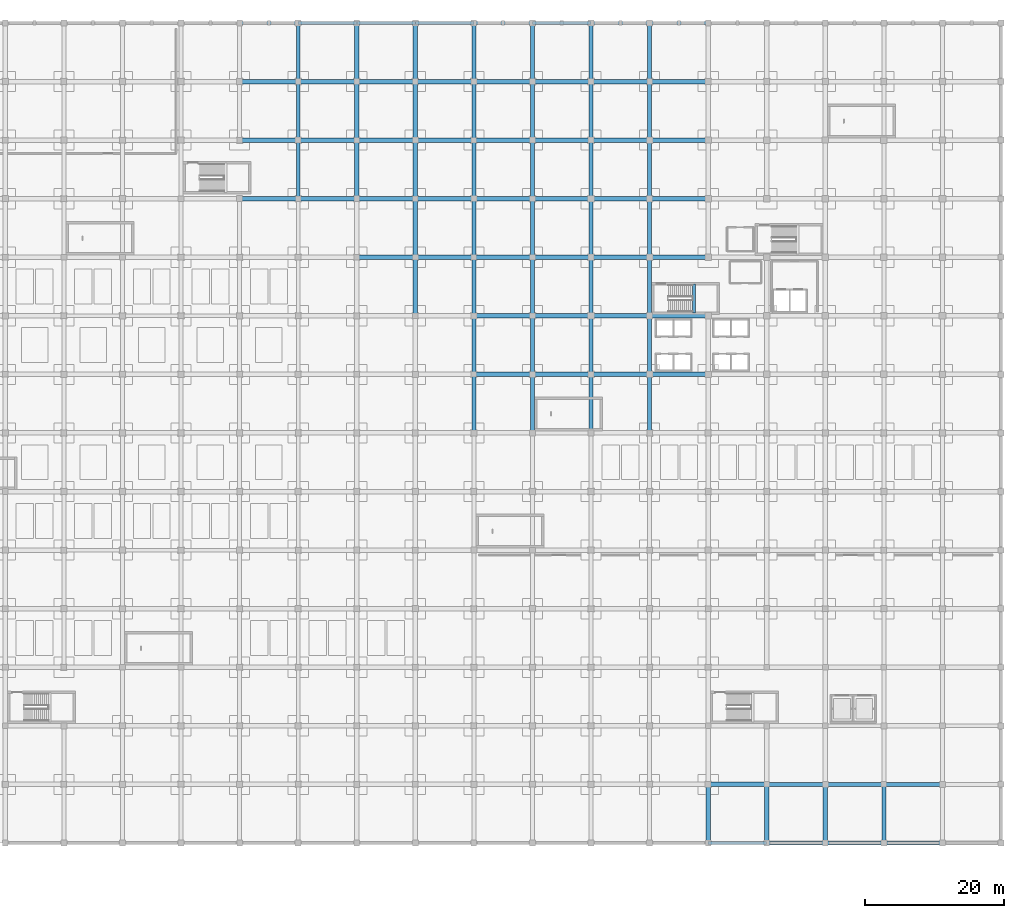
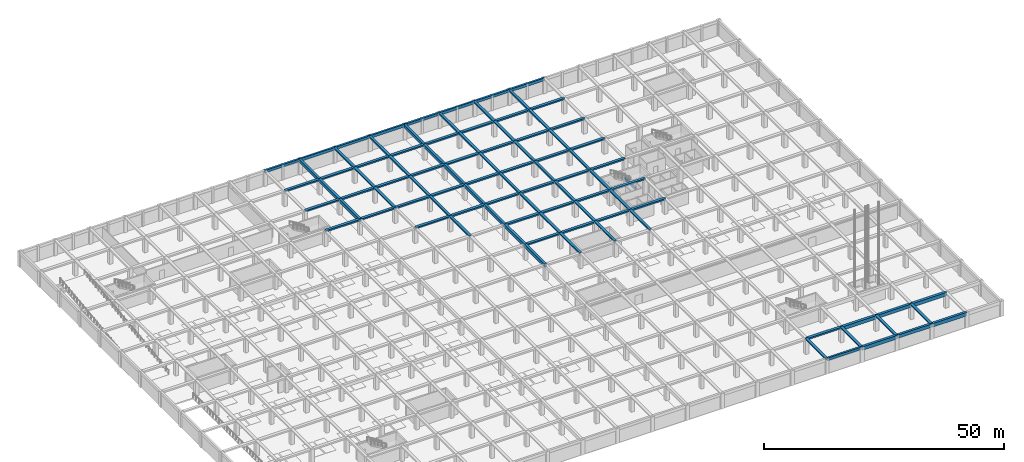
# One storey, part 7 of 32: 98 beams.
"""IFC4 building model written with IfcOpenShell, lengths in metres."""

from ifc_helpers import new_model, si_unit, direction, frame, origin, origin_2d, place, context, subcontext, project, spatial, rectangle, extrude, material, material_profile, profile_set, type_object, element, save


model = new_model("IFC4")

# Units and contexts
model_context = context("Model", 3, precision=1e-05, world=origin(), true_north=direction((0.0, 1.0)))
body_context = subcontext(model_context, "Body", "Model", "MODEL_VIEW")
ifc_project = project(units=[si_unit("LENGTHUNIT", "METRE"), si_unit("AREAUNIT", "SQUARE_METRE"), si_unit("VOLUMEUNIT", "CUBIC_METRE"), si_unit("PLANEANGLEUNIT", "RADIAN"), si_unit("MASSUNIT", "GRAM", prefix="KILO")], contexts=[model_context])

# Site, building, storey
site_placement = place(None, origin())
site = spatial("IfcSite", under=ifc_project, at=site_placement, CompositionType="ELEMENT")
building_placement = place(site_placement, origin())
building = spatial("IfcBuilding", under=site, at=building_placement, Name="Almacenes y Pasaje Nevantli", CompositionType="ELEMENT")
storey_placement = place(building_placement, frame((0.0, 0.0, -4.199951171875)))
storey = spatial("IfcBuildingStorey", under=building, at=storey_placement, Name="B01", CompositionType="ELEMENT", Elevation=-4.199951171875)

# Beams
ifc_material_1 = material(Name="Concrete C35/45", Category="concrete")
ifc_material_profile_1 = material_profile(ifc_material_1, rectangle(XDim=0.39990234375, YDim=0.60009765625, at=origin_2d()), Name="RC-BM-400x600")
ifc_profile_set_1 = profile_set([ifc_material_profile_1], Name="Concrete C35/45")
beam_type_1 = type_object("IfcBeamType", Name="BM-RC-400x600", PredefinedType="SPANDREL", material=ifc_profile_set_1)
beam_1_placement = place(storey_placement, frame((123.97998046875, 76.0, 1.599853515625), z_axis=(0.0, 1.0, 0.0), x_axis=(-1.0, 0.0, 0.0)))
element("IfcBeam", 1, at=beam_1_placement, inside=storey, type_object=beam_type_1, Name="B01 Stair ST-01 Half-Landing Support Beam", PredefinedType="SPANDREL", context=body_context, shape_type="SweptSolid", body=[
    extrude(rectangle(XDim=0.39990234375, YDim=0.60009765625, at=origin_2d()), origin(), (0.0, 0.0, 1.0), 4.18994140625),
])
ifc_material_2 = material(Name="Concrete C35/45", Category="concrete")
ifc_material_profile_2 = material_profile(ifc_material_2, rectangle(XDim=0.449951171875, YDim=0.64990234375, at=origin_2d()), Name="RC-BM-450x650")
ifc_profile_set_2 = profile_set([ifc_material_profile_2], Name="Concrete C35/45")
beam_type_2 = type_object("IfcBeamType", Name="BM-RC-450x650", PredefinedType="SPANDREL", material=ifc_profile_set_2)
for number, where, z_axis, x_axis, name in (
    (2, (126.0, 0.0, 3.554931640625), (1.0, 0.0, 0.0), (0.0, 1.0, 0.0), "B01 East-West Reinforced Concrete Beam #617"),
    (3, (58.800048828125, 117.60009765625, 3.554931640625), (1.0, 0.0, 0.0), (0.0, 1.0, 0.0), "B01 East-West Reinforced Concrete Beam #883"),
    (4, (75.60009765625, 117.60009765625, 3.554931640625), (1.0, 0.0, 0.0), (0.0, 1.0, 0.0), "B01 East-West Reinforced Concrete Beam #885"),
):
    element("IfcBeam", number, at=place(storey_placement, frame(where, z_axis=z_axis, x_axis=x_axis)), inside=storey, type_object=beam_type_2, Name=name, PredefinedType="SPANDREL", context=body_context, shape_type="SweptSolid", body=[
        extrude(rectangle(XDim=0.449951171875, YDim=0.64990234375, at=origin_2d()), origin(), (0.0, 0.0, 1.0), 8.39990234375),
    ])
for number, where, z_axis, x_axis, name in (
    (5, (92.39990234375, 117.60009765625, 3.554931640625), (1.0, 0.0, 0.0), (0.0, 1.0, 0.0), "B01 East-West Reinforced Concrete Beam #887"),
    (6, (109.199951171875, 117.60009765625, 3.554931640625), (1.0, 0.0, 0.0), (0.0, 1.0, 0.0), "B01 East-West Reinforced Concrete Beam #889"),
):
    element("IfcBeam", number, at=place(storey_placement, frame(where, z_axis=z_axis, x_axis=x_axis)), inside=storey, type_object=beam_type_2, Name=name, PredefinedType="SPANDREL", context=body_context, shape_type="SweptSolid", body=[
        extrude(rectangle(XDim=0.449951171875, YDim=0.64990234375, at=origin_2d()), origin(), (0.0, 0.0, 1.0), 8.400146484375),
    ])
ifc_material_3 = material(Name="Concrete C35/45", Category="concrete")
ifc_material_profile_3 = material_profile(ifc_material_3, rectangle(XDim=0.449951171875, YDim=0.699951171875, at=origin_2d()), Name="RC-BM-450x700")
ifc_profile_set_3 = profile_set([ifc_material_profile_3], Name="Concrete C35/45")
beam_type_3 = type_object("IfcBeamType", Name="BM-RC-450x700", PredefinedType="SPANDREL", material=ifc_profile_set_3)
beam_2_placement = place(storey_placement, frame((67.199951171875, 117.60009765625, 3.530029296875), z_axis=(1.0, 0.0, 0.0), x_axis=(0.0, 1.0, 0.0)))
element("IfcBeam", 7, at=beam_2_placement, inside=storey, type_object=beam_type_3, Name="B01 East-West Reinforced Concrete Beam #884", PredefinedType="SPANDREL", context=body_context, shape_type="SweptSolid", body=[
    extrude(rectangle(XDim=0.449951171875, YDim=0.699951171875, at=origin_2d()), origin(), (0.0, 0.0, 1.0), 8.400146484375),
])
for number, where, z_axis, x_axis, name in (
    (8, (84.0, 117.60009765625, 3.530029296875), (1.0, 0.0, 0.0), (0.0, 1.0, 0.0), "B01 East-West Reinforced Concrete Beam #886"),
    (9, (100.800048828125, 117.60009765625, 3.530029296875), (1.0, 0.0, 0.0), (0.0, 1.0, 0.0), "B01 East-West Reinforced Concrete Beam #888"),
    (10, (117.60009765625, 117.60009765625, 3.530029296875), (1.0, 0.0, 0.0), (0.0, 1.0, 0.0), "B01 East-West Reinforced Concrete Beam #890"),
):
    element("IfcBeam", number, at=place(storey_placement, frame(where, z_axis=z_axis, x_axis=x_axis)), inside=storey, type_object=beam_type_3, Name=name, PredefinedType="SPANDREL", context=body_context, shape_type="SweptSolid", body=[
        extrude(rectangle(XDim=0.449951171875, YDim=0.699951171875, at=origin_2d()), origin(), (0.0, 0.0, 1.0), 8.39990234375),
    ])
ifc_material_4 = material(Name="Concrete C35/45", Category="concrete")
ifc_material_profile_4 = material_profile(ifc_material_4, rectangle(XDim=0.550048828125, YDim=0.800048828125, at=origin_2d()), Name="RC-BM-550x800")
ifc_profile_set_4 = profile_set([ifc_material_profile_4], Name="Concrete C35/45")
beam_type_4 = type_object("IfcBeamType", Name="BM-RC-550x800", PredefinedType="BEAM", material=ifc_profile_set_4)
beam_3_placement = place(storey_placement, frame((67.199951171875, 92.39990234375, 3.47998046875), z_axis=(0.0, 1.0, 0.0), x_axis=(-1.0, 0.0, 0.0)))
element("IfcBeam", 11, at=beam_3_placement, inside=storey, type_object=beam_type_4, Name="B01 North-South Reinforced Concrete Beam #1007", PredefinedType="BEAM", context=body_context, shape_type="SweptSolid", body=[
    extrude(rectangle(XDim=0.550048828125, YDim=0.800048828125, at=origin_2d()), origin(), (0.0, 0.0, 1.0), 8.400146484375),
])
beam_4_placement = place(storey_placement, frame((67.199951171875, 100.800048828125, 3.47998046875), z_axis=(0.0, 1.0, 0.0), x_axis=(-1.0, 0.0, 0.0)))
element("IfcBeam", 12, at=beam_4_placement, inside=storey, type_object=beam_type_4, Name="B01 North-South Reinforced Concrete Beam #1008", PredefinedType="BEAM", context=body_context, shape_type="SweptSolid", body=[
    extrude(rectangle(XDim=0.550048828125, YDim=0.800048828125, at=origin_2d()), origin(), (0.0, 0.0, 1.0), 8.39990234375),
])
beam_5_placement = place(storey_placement, frame((67.199951171875, 109.199951171875, 3.47998046875), z_axis=(0.0, 1.0, 0.0), x_axis=(-1.0, 0.0, 0.0)))
element("IfcBeam", 13, at=beam_5_placement, inside=storey, type_object=beam_type_4, Name="B01 North-South Reinforced Concrete Beam #1009", PredefinedType="BEAM", context=body_context, shape_type="SweptSolid", body=[
    extrude(rectangle(XDim=0.550048828125, YDim=0.800048828125, at=origin_2d()), origin(), (0.0, 0.0, 1.0), 8.400146484375),
])
beam_6_placement = place(storey_placement, frame((92.39990234375, 58.800048828125, 3.47998046875), z_axis=(0.0, 1.0, 0.0), x_axis=(-1.0, 0.0, 0.0)))
element("IfcBeam", 14, at=beam_6_placement, inside=storey, type_object=beam_type_4, Name="B01 North-South Reinforced Concrete Beam #1045", PredefinedType="BEAM", context=body_context, shape_type="SweptSolid", body=[
    extrude(rectangle(XDim=0.550048828125, YDim=0.800048828125, at=origin_2d()), origin(), (0.0, 0.0, 1.0), 8.39990234375),
])
beam_7_placement = place(storey_placement, frame((92.39990234375, 67.199951171875, 3.47998046875), z_axis=(0.0, 1.0, 0.0), x_axis=(-1.0, 0.0, 0.0)))
element("IfcBeam", 15, at=beam_7_placement, inside=storey, type_object=beam_type_4, Name="B01 North-South Reinforced Concrete Beam #1046", PredefinedType="BEAM", context=body_context, shape_type="SweptSolid", body=[
    extrude(rectangle(XDim=0.550048828125, YDim=0.800048828125, at=origin_2d()), origin(), (0.0, 0.0, 1.0), 8.400146484375),
])
for number, where, z_axis, x_axis, name in (
    (16, (92.39990234375, 75.60009765625, 3.47998046875), (0.0, 1.0, 0.0), (-1.0, 0.0, 0.0), "B01 North-South Reinforced Concrete Beam #1047"),
    (17, (92.39990234375, 84.0, 3.47998046875), (0.0, 1.0, 0.0), (-1.0, 0.0, 0.0), "B01 North-South Reinforced Concrete Beam #1048"),
):
    element("IfcBeam", number, at=place(storey_placement, frame(where, z_axis=z_axis, x_axis=x_axis)), inside=storey, type_object=beam_type_4, Name=name, PredefinedType="BEAM", context=body_context, shape_type="SweptSolid", body=[
        extrude(rectangle(XDim=0.550048828125, YDim=0.800048828125, at=origin_2d()), origin(), (0.0, 0.0, 1.0), 8.39990234375),
    ])
beam_8_placement = place(storey_placement, frame((92.39990234375, 92.39990234375, 3.47998046875), z_axis=(0.0, 1.0, 0.0), x_axis=(-1.0, 0.0, 0.0)))
element("IfcBeam", 18, at=beam_8_placement, inside=storey, type_object=beam_type_4, Name="B01 North-South Reinforced Concrete Beam #1049", PredefinedType="BEAM", context=body_context, shape_type="SweptSolid", body=[
    extrude(rectangle(XDim=0.550048828125, YDim=0.800048828125, at=origin_2d()), origin(), (0.0, 0.0, 1.0), 8.400146484375),
])
beam_9_placement = place(storey_placement, frame((92.39990234375, 100.800048828125, 3.47998046875), z_axis=(0.0, 1.0, 0.0), x_axis=(-1.0, 0.0, 0.0)))
element("IfcBeam", 19, at=beam_9_placement, inside=storey, type_object=beam_type_4, Name="B01 North-South Reinforced Concrete Beam #1050", PredefinedType="BEAM", context=body_context, shape_type="SweptSolid", body=[
    extrude(rectangle(XDim=0.550048828125, YDim=0.800048828125, at=origin_2d()), origin(), (0.0, 0.0, 1.0), 8.39990234375),
])
beam_10_placement = place(storey_placement, frame((92.39990234375, 109.199951171875, 3.47998046875), z_axis=(0.0, 1.0, 0.0), x_axis=(-1.0, 0.0, 0.0)))
element("IfcBeam", 20, at=beam_10_placement, inside=storey, type_object=beam_type_4, Name="B01 North-South Reinforced Concrete Beam #1051", PredefinedType="BEAM", context=body_context, shape_type="SweptSolid", body=[
    extrude(rectangle(XDim=0.550048828125, YDim=0.800048828125, at=origin_2d()), origin(), (0.0, 0.0, 1.0), 8.400146484375),
])
ifc_material_5 = material(Name="Concrete C35/45", Category="concrete")
ifc_material_profile_5 = material_profile(ifc_material_5, rectangle(XDim=0.550048828125, YDim=0.85009765625, at=origin_2d()), Name="RC-BM-550x850")
ifc_profile_set_5 = profile_set([ifc_material_profile_5], Name="Concrete C35/45")
beam_type_5 = type_object("IfcBeamType", Name="BM-RC-550x850", PredefinedType="BEAM", material=ifc_profile_set_5)
for number, where, z_axis, x_axis, name in (
    (21, (142.800048828125, 0.0, 3.454833984375), (1.0, 0.0, 0.0), (0.0, 1.0, 0.0), "B01 East-West Reinforced Concrete Beam #619"),
    (22, (142.800048828125, 8.39990234375, 3.454833984375), (1.0, 0.0, 0.0), (0.0, 1.0, 0.0), "B01 East-West Reinforced Concrete Beam #636"),
):
    element("IfcBeam", number, at=place(storey_placement, frame(where, z_axis=z_axis, x_axis=x_axis)), inside=storey, type_object=beam_type_5, Name=name, PredefinedType="BEAM", context=body_context, shape_type="SweptSolid", body=[
        extrude(rectangle(XDim=0.550048828125, YDim=0.85009765625, at=origin_2d()), origin(), (0.0, 0.0, 1.0), 8.39990234375),
    ])
ifc_material_6 = material(Name="Concrete C35/45", Category="concrete")
ifc_material_profile_6 = material_profile(ifc_material_6, rectangle(XDim=0.60009765625, YDim=0.320068359375, at=origin_2d()), Name="RC-BM-600x320")
ifc_profile_set_6 = profile_set([ifc_material_profile_6], Name="Concrete C35/45")
beam_type_6 = type_object("IfcBeamType", Name="BM-RC-600x320", PredefinedType="BEAM", material=ifc_profile_set_6)
for number, where, z_axis, x_axis, name in (
    (23, (75.60009765625, 100.800048828125, 3.719970703125), (0.0, 1.0, 0.0), (-1.0, 0.0, 0.0), "B01 North-South Reinforced Concrete Beam #1022"),
    (24, (84.0, 75.60009765625, 3.719970703125), (0.0, 1.0, 0.0), (-1.0, 0.0, 0.0), "B01 North-South Reinforced Concrete Beam #1033"),
):
    element("IfcBeam", number, at=place(storey_placement, frame(where, z_axis=z_axis, x_axis=x_axis)), inside=storey, type_object=beam_type_6, Name=name, PredefinedType="BEAM", context=body_context, shape_type="SweptSolid", body=[
        extrude(rectangle(XDim=0.60009765625, YDim=0.320068359375, at=origin_2d()), origin(), (0.0, 0.0, 1.0), 8.39990234375),
    ])
for number, where, z_axis, x_axis, name in (
    (25, (84.0, 92.39990234375, 3.719970703125), (0.0, 1.0, 0.0), (-1.0, 0.0, 0.0), "B01 North-South Reinforced Concrete Beam #1035"),
    (26, (84.0, 109.199951171875, 3.719970703125), (0.0, 1.0, 0.0), (-1.0, 0.0, 0.0), "B01 North-South Reinforced Concrete Beam #1037"),
):
    element("IfcBeam", number, at=place(storey_placement, frame(where, z_axis=z_axis, x_axis=x_axis)), inside=storey, type_object=beam_type_6, Name=name, PredefinedType="BEAM", context=body_context, shape_type="SweptSolid", body=[
        extrude(rectangle(XDim=0.60009765625, YDim=0.320068359375, at=origin_2d()), origin(), (0.0, 0.0, 1.0), 8.400146484375),
    ])
for number, where, z_axis, x_axis, name in (
    (27, (100.800048828125, 58.800048828125, 3.719970703125), (0.0, 1.0, 0.0), (-1.0, 0.0, 0.0), "B01 North-South Reinforced Concrete Beam #1059"),
    (28, (100.800048828125, 75.60009765625, 3.719970703125), (0.0, 1.0, 0.0), (-1.0, 0.0, 0.0), "B01 North-South Reinforced Concrete Beam #1061"),
):
    element("IfcBeam", number, at=place(storey_placement, frame(where, z_axis=z_axis, x_axis=x_axis)), inside=storey, type_object=beam_type_6, Name=name, PredefinedType="BEAM", context=body_context, shape_type="SweptSolid", body=[
        extrude(rectangle(XDim=0.60009765625, YDim=0.320068359375, at=origin_2d()), origin(), (0.0, 0.0, 1.0), 8.39990234375),
    ])
for number, where, z_axis, x_axis, name in (
    (29, (100.800048828125, 92.39990234375, 3.719970703125), (0.0, 1.0, 0.0), (-1.0, 0.0, 0.0), "B01 North-South Reinforced Concrete Beam #1063"),
    (30, (100.800048828125, 109.199951171875, 3.719970703125), (0.0, 1.0, 0.0), (-1.0, 0.0, 0.0), "B01 North-South Reinforced Concrete Beam #1065"),
    (31, (109.199951171875, 67.199951171875, 3.719970703125), (0.0, 1.0, 0.0), (-1.0, 0.0, 0.0), "B01 North-South Reinforced Concrete Beam #1074"),
):
    element("IfcBeam", number, at=place(storey_placement, frame(where, z_axis=z_axis, x_axis=x_axis)), inside=storey, type_object=beam_type_6, Name=name, PredefinedType="BEAM", context=body_context, shape_type="SweptSolid", body=[
        extrude(rectangle(XDim=0.60009765625, YDim=0.320068359375, at=origin_2d()), origin(), (0.0, 0.0, 1.0), 8.400146484375),
    ])
for number, where, z_axis, x_axis, name in (
    (32, (109.199951171875, 84.0, 3.719970703125), (0.0, 1.0, 0.0), (-1.0, 0.0, 0.0), "B01 North-South Reinforced Concrete Beam #1076"),
    (33, (109.199951171875, 100.800048828125, 3.719970703125), (0.0, 1.0, 0.0), (-1.0, 0.0, 0.0), "B01 North-South Reinforced Concrete Beam #1078"),
    (34, (117.60009765625, 58.800048828125, 3.719970703125), (0.0, 1.0, 0.0), (-1.0, 0.0, 0.0), "B01 North-South Reinforced Concrete Beam #1087"),
    (35, (117.60009765625, 75.60009765625, 3.719970703125), (0.0, 1.0, 0.0), (-1.0, 0.0, 0.0), "B01 North-South Reinforced Concrete Beam #1089"),
):
    element("IfcBeam", number, at=place(storey_placement, frame(where, z_axis=z_axis, x_axis=x_axis)), inside=storey, type_object=beam_type_6, Name=name, PredefinedType="BEAM", context=body_context, shape_type="SweptSolid", body=[
        extrude(rectangle(XDim=0.60009765625, YDim=0.320068359375, at=origin_2d()), origin(), (0.0, 0.0, 1.0), 8.39990234375),
    ])
for number, where, z_axis, x_axis, name in (
    (36, (117.60009765625, 92.39990234375, 3.719970703125), (0.0, 1.0, 0.0), (-1.0, 0.0, 0.0), "B01 North-South Reinforced Concrete Beam #1091"),
    (37, (117.60009765625, 109.199951171875, 3.719970703125), (0.0, 1.0, 0.0), (-1.0, 0.0, 0.0), "B01 North-South Reinforced Concrete Beam #1093"),
):
    element("IfcBeam", number, at=place(storey_placement, frame(where, z_axis=z_axis, x_axis=x_axis)), inside=storey, type_object=beam_type_6, Name=name, PredefinedType="BEAM", context=body_context, shape_type="SweptSolid", body=[
        extrude(rectangle(XDim=0.60009765625, YDim=0.320068359375, at=origin_2d()), origin(), (0.0, 0.0, 1.0), 8.400146484375),
    ])
for number, where, z_axis, x_axis, name in (
    (38, (126.0, 0.0, 3.719970703125), (0.0, 1.0, 0.0), (-1.0, 0.0, 0.0), "B01 North-South Reinforced Concrete Beam #1094"),
    (39, (142.800048828125, 0.0, 3.719970703125), (0.0, 1.0, 0.0), (-1.0, 0.0, 0.0), "B01 North-South Reinforced Concrete Beam #1119"),
):
    element("IfcBeam", number, at=place(storey_placement, frame(where, z_axis=z_axis, x_axis=x_axis)), inside=storey, type_object=beam_type_6, Name=name, PredefinedType="BEAM", context=body_context, shape_type="SweptSolid", body=[
        extrude(rectangle(XDim=0.60009765625, YDim=0.320068359375, at=origin_2d()), origin(), (0.0, 0.0, 1.0), 8.39990234375),
    ])
ifc_material_7 = material(Name="Concrete C35/45", Category="concrete")
ifc_material_profile_7 = material_profile(ifc_material_7, rectangle(XDim=0.60009765625, YDim=0.340087890625, at=origin_2d()), Name="RC-BM-600x340")
ifc_profile_set_7 = profile_set([ifc_material_profile_7], Name="Concrete C35/45")
beam_type_7 = type_object("IfcBeamType", Name="BM-RC-600x340", PredefinedType="BEAM", material=ifc_profile_set_7)
for number, where, z_axis, x_axis, name in (
    (40, (75.60009765625, 92.39990234375, 3.7099609375), (0.0, 1.0, 0.0), (-1.0, 0.0, 0.0), "B01 North-South Reinforced Concrete Beam #1021"),
    (41, (75.60009765625, 109.199951171875, 3.7099609375), (0.0, 1.0, 0.0), (-1.0, 0.0, 0.0), "B01 North-South Reinforced Concrete Beam #1023"),
):
    element("IfcBeam", number, at=place(storey_placement, frame(where, z_axis=z_axis, x_axis=x_axis)), inside=storey, type_object=beam_type_7, Name=name, PredefinedType="BEAM", context=body_context, shape_type="SweptSolid", body=[
        extrude(rectangle(XDim=0.60009765625, YDim=0.340087890625, at=origin_2d()), origin(), (0.0, 0.0, 1.0), 8.400146484375),
    ])
for number, where, z_axis, x_axis, name in (
    (42, (84.0, 84.0, 3.7099609375), (0.0, 1.0, 0.0), (-1.0, 0.0, 0.0), "B01 North-South Reinforced Concrete Beam #1034"),
    (43, (84.0, 100.800048828125, 3.7099609375), (0.0, 1.0, 0.0), (-1.0, 0.0, 0.0), "B01 North-South Reinforced Concrete Beam #1036"),
):
    element("IfcBeam", number, at=place(storey_placement, frame(where, z_axis=z_axis, x_axis=x_axis)), inside=storey, type_object=beam_type_7, Name=name, PredefinedType="BEAM", context=body_context, shape_type="SweptSolid", body=[
        extrude(rectangle(XDim=0.60009765625, YDim=0.340087890625, at=origin_2d()), origin(), (0.0, 0.0, 1.0), 8.39990234375),
    ])
beam_11_placement = place(storey_placement, frame((100.800048828125, 67.199951171875, 3.7099609375), z_axis=(0.0, 1.0, 0.0), x_axis=(-1.0, 0.0, 0.0)))
element("IfcBeam", 44, at=beam_11_placement, inside=storey, type_object=beam_type_7, Name="B01 North-South Reinforced Concrete Beam #1060", PredefinedType="BEAM", context=body_context, shape_type="SweptSolid", body=[
    extrude(rectangle(XDim=0.60009765625, YDim=0.340087890625, at=origin_2d()), origin(), (0.0, 0.0, 1.0), 8.400146484375),
])
for number, where, z_axis, x_axis, name in (
    (45, (100.800048828125, 84.0, 3.7099609375), (0.0, 1.0, 0.0), (-1.0, 0.0, 0.0), "B01 North-South Reinforced Concrete Beam #1062"),
    (46, (100.800048828125, 100.800048828125, 3.7099609375), (0.0, 1.0, 0.0), (-1.0, 0.0, 0.0), "B01 North-South Reinforced Concrete Beam #1064"),
    (47, (109.199951171875, 58.800048828125, 3.7099609375), (0.0, 1.0, 0.0), (-1.0, 0.0, 0.0), "B01 North-South Reinforced Concrete Beam #1073"),
    (48, (109.199951171875, 75.60009765625, 3.7099609375), (0.0, 1.0, 0.0), (-1.0, 0.0, 0.0), "B01 North-South Reinforced Concrete Beam #1075"),
):
    element("IfcBeam", number, at=place(storey_placement, frame(where, z_axis=z_axis, x_axis=x_axis)), inside=storey, type_object=beam_type_7, Name=name, PredefinedType="BEAM", context=body_context, shape_type="SweptSolid", body=[
        extrude(rectangle(XDim=0.60009765625, YDim=0.340087890625, at=origin_2d()), origin(), (0.0, 0.0, 1.0), 8.39990234375),
    ])
for number, where, z_axis, x_axis, name in (
    (49, (109.199951171875, 92.39990234375, 3.7099609375), (0.0, 1.0, 0.0), (-1.0, 0.0, 0.0), "B01 North-South Reinforced Concrete Beam #1077"),
    (50, (109.199951171875, 109.199951171875, 3.7099609375), (0.0, 1.0, 0.0), (-1.0, 0.0, 0.0), "B01 North-South Reinforced Concrete Beam #1079"),
    (51, (117.60009765625, 67.199951171875, 3.7099609375), (0.0, 1.0, 0.0), (-1.0, 0.0, 0.0), "B01 North-South Reinforced Concrete Beam #1088"),
):
    element("IfcBeam", number, at=place(storey_placement, frame(where, z_axis=z_axis, x_axis=x_axis)), inside=storey, type_object=beam_type_7, Name=name, PredefinedType="BEAM", context=body_context, shape_type="SweptSolid", body=[
        extrude(rectangle(XDim=0.60009765625, YDim=0.340087890625, at=origin_2d()), origin(), (0.0, 0.0, 1.0), 8.400146484375),
    ])
for number, where, z_axis, x_axis, name in (
    (52, (117.60009765625, 84.0, 3.7099609375), (0.0, 1.0, 0.0), (-1.0, 0.0, 0.0), "B01 North-South Reinforced Concrete Beam #1090"),
    (53, (117.60009765625, 100.800048828125, 3.7099609375), (0.0, 1.0, 0.0), (-1.0, 0.0, 0.0), "B01 North-South Reinforced Concrete Beam #1092"),
    (54, (134.39990234375, 0.0, 3.7099609375), (0.0, 1.0, 0.0), (-1.0, 0.0, 0.0), "B01 North-South Reinforced Concrete Beam #1107"),
    (55, (151.199951171875, 0.0, 3.7099609375), (0.0, 1.0, 0.0), (-1.0, 0.0, 0.0), "B01 North-South Reinforced Concrete Beam #1133"),
):
    element("IfcBeam", number, at=place(storey_placement, frame(where, z_axis=z_axis, x_axis=x_axis)), inside=storey, type_object=beam_type_7, Name=name, PredefinedType="BEAM", context=body_context, shape_type="SweptSolid", body=[
        extrude(rectangle(XDim=0.60009765625, YDim=0.340087890625, at=origin_2d()), origin(), (0.0, 0.0, 1.0), 8.39990234375),
    ])
ifc_material_8 = material(Name="Concrete C35/45", Category="concrete")
ifc_material_profile_8 = material_profile(ifc_material_8, rectangle(XDim=0.60009765625, YDim=0.89990234375, at=origin_2d()), Name="RC-BM-600x900")
ifc_profile_set_8 = profile_set([ifc_material_profile_8], Name="Concrete C35/45")
beam_type_8 = type_object("IfcBeamType", Name="BM-RC-600x900", PredefinedType="BEAM", material=ifc_profile_set_8)
for number, where, z_axis, x_axis, name in (
    (56, (134.39990234375, 0.0, 3.429931640625), (1.0, 0.0, 0.0), (0.0, 1.0, 0.0), "B01 East-West Reinforced Concrete Beam #618"),
    (57, (151.199951171875, 0.0, 3.429931640625), (1.0, 0.0, 0.0), (0.0, 1.0, 0.0), "B01 East-West Reinforced Concrete Beam #620"),
    (58, (134.39990234375, 8.39990234375, 3.429931640625), (1.0, 0.0, 0.0), (0.0, 1.0, 0.0), "B01 East-West Reinforced Concrete Beam #635"),
    (59, (151.199951171875, 8.39990234375, 3.429931640625), (1.0, 0.0, 0.0), (0.0, 1.0, 0.0), "B01 East-West Reinforced Concrete Beam #637"),
):
    element("IfcBeam", number, at=place(storey_placement, frame(where, z_axis=z_axis, x_axis=x_axis)), inside=storey, type_object=beam_type_8, Name=name, PredefinedType="BEAM", context=body_context, shape_type="SweptSolid", body=[
        extrude(rectangle(XDim=0.60009765625, YDim=0.89990234375, at=origin_2d()), origin(), (0.0, 0.0, 1.0), 8.400146484375),
    ])
ifc_material_9 = material(Name="Concrete C35/45", Category="concrete")
ifc_material_profile_9 = material_profile(ifc_material_9, rectangle(XDim=0.64990234375, YDim=0.35009765625, at=origin_2d()), Name="RC-BM-650x350")
ifc_profile_set_9 = profile_set([ifc_material_profile_9], Name="Concrete C35/45")
beam_type_9 = type_object("IfcBeamType", Name="BM-RC-650x350", PredefinedType="BEAM", material=ifc_profile_set_9)
for number, where, z_axis, x_axis, name in (
    (60, (92.39990234375, 67.199951171875, 3.704833984375), (1.0, 0.0, 0.0), (0.0, 1.0, 0.0), "B01 East-West Reinforced Concrete Beam #767"),
    (61, (109.199951171875, 67.199951171875, 3.704833984375), (1.0, 0.0, 0.0), (0.0, 1.0, 0.0), "B01 East-West Reinforced Concrete Beam #769"),
):
    element("IfcBeam", number, at=place(storey_placement, frame(where, z_axis=z_axis, x_axis=x_axis)), inside=storey, type_object=beam_type_9, Name=name, PredefinedType="BEAM", context=body_context, shape_type="SweptSolid", body=[
        extrude(rectangle(XDim=0.64990234375, YDim=0.35009765625, at=origin_2d()), origin(), (0.0, 0.0, 1.0), 8.400146484375),
    ])
for number, where, z_axis, x_axis, name in (
    (62, (100.800048828125, 75.60009765625, 3.704833984375), (1.0, 0.0, 0.0), (0.0, 1.0, 0.0), "B01 East-West Reinforced Concrete Beam #788"),
    (63, (117.60009765625, 75.60009765625, 3.704833984375), (1.0, 0.0, 0.0), (0.0, 1.0, 0.0), "B01 East-West Reinforced Concrete Beam #790"),
    (64, (75.60009765625, 84.0, 3.704833984375), (1.0, 0.0, 0.0), (0.0, 1.0, 0.0), "B01 East-West Reinforced Concrete Beam #805"),
):
    element("IfcBeam", number, at=place(storey_placement, frame(where, z_axis=z_axis, x_axis=x_axis)), inside=storey, type_object=beam_type_9, Name=name, PredefinedType="BEAM", context=body_context, shape_type="SweptSolid", body=[
        extrude(rectangle(XDim=0.64990234375, YDim=0.35009765625, at=origin_2d()), origin(), (0.0, 0.0, 1.0), 8.39990234375),
    ])
for number, where, z_axis, x_axis, name in (
    (65, (92.39990234375, 84.0, 3.704833984375), (1.0, 0.0, 0.0), (0.0, 1.0, 0.0), "B01 East-West Reinforced Concrete Beam #807"),
    (66, (109.199951171875, 84.0, 3.704833984375), (1.0, 0.0, 0.0), (0.0, 1.0, 0.0), "B01 East-West Reinforced Concrete Beam #809"),
    (67, (67.199951171875, 92.39990234375, 3.704833984375), (1.0, 0.0, 0.0), (0.0, 1.0, 0.0), "B01 East-West Reinforced Concrete Beam #824"),
):
    element("IfcBeam", number, at=place(storey_placement, frame(where, z_axis=z_axis, x_axis=x_axis)), inside=storey, type_object=beam_type_9, Name=name, PredefinedType="BEAM", context=body_context, shape_type="SweptSolid", body=[
        extrude(rectangle(XDim=0.64990234375, YDim=0.35009765625, at=origin_2d()), origin(), (0.0, 0.0, 1.0), 8.400146484375),
    ])
for number, where, z_axis, x_axis, name in (
    (68, (84.0, 92.39990234375, 3.704833984375), (1.0, 0.0, 0.0), (0.0, 1.0, 0.0), "B01 East-West Reinforced Concrete Beam #826"),
    (69, (100.800048828125, 92.39990234375, 3.704833984375), (1.0, 0.0, 0.0), (0.0, 1.0, 0.0), "B01 East-West Reinforced Concrete Beam #828"),
    (70, (117.60009765625, 92.39990234375, 3.704833984375), (1.0, 0.0, 0.0), (0.0, 1.0, 0.0), "B01 East-West Reinforced Concrete Beam #830"),
    (71, (58.800048828125, 100.800048828125, 3.704833984375), (1.0, 0.0, 0.0), (0.0, 1.0, 0.0), "B01 East-West Reinforced Concrete Beam #843"),
    (72, (75.60009765625, 100.800048828125, 3.704833984375), (1.0, 0.0, 0.0), (0.0, 1.0, 0.0), "B01 East-West Reinforced Concrete Beam #845"),
):
    element("IfcBeam", number, at=place(storey_placement, frame(where, z_axis=z_axis, x_axis=x_axis)), inside=storey, type_object=beam_type_9, Name=name, PredefinedType="BEAM", context=body_context, shape_type="SweptSolid", body=[
        extrude(rectangle(XDim=0.64990234375, YDim=0.35009765625, at=origin_2d()), origin(), (0.0, 0.0, 1.0), 8.39990234375),
    ])
for number, where, z_axis, x_axis, name in (
    (73, (92.39990234375, 100.800048828125, 3.704833984375), (1.0, 0.0, 0.0), (0.0, 1.0, 0.0), "B01 East-West Reinforced Concrete Beam #847"),
    (74, (109.199951171875, 100.800048828125, 3.704833984375), (1.0, 0.0, 0.0), (0.0, 1.0, 0.0), "B01 East-West Reinforced Concrete Beam #849"),
    (75, (67.199951171875, 109.199951171875, 3.704833984375), (1.0, 0.0, 0.0), (0.0, 1.0, 0.0), "B01 East-West Reinforced Concrete Beam #864"),
):
    element("IfcBeam", number, at=place(storey_placement, frame(where, z_axis=z_axis, x_axis=x_axis)), inside=storey, type_object=beam_type_9, Name=name, PredefinedType="BEAM", context=body_context, shape_type="SweptSolid", body=[
        extrude(rectangle(XDim=0.64990234375, YDim=0.35009765625, at=origin_2d()), origin(), (0.0, 0.0, 1.0), 8.400146484375),
    ])
for number, where, z_axis, x_axis, name in (
    (76, (84.0, 109.199951171875, 3.704833984375), (1.0, 0.0, 0.0), (0.0, 1.0, 0.0), "B01 East-West Reinforced Concrete Beam #866"),
    (77, (100.800048828125, 109.199951171875, 3.704833984375), (1.0, 0.0, 0.0), (0.0, 1.0, 0.0), "B01 East-West Reinforced Concrete Beam #868"),
    (78, (117.60009765625, 109.199951171875, 3.704833984375), (1.0, 0.0, 0.0), (0.0, 1.0, 0.0), "B01 East-West Reinforced Concrete Beam #870"),
):
    element("IfcBeam", number, at=place(storey_placement, frame(where, z_axis=z_axis, x_axis=x_axis)), inside=storey, type_object=beam_type_9, Name=name, PredefinedType="BEAM", context=body_context, shape_type="SweptSolid", body=[
        extrude(rectangle(XDim=0.64990234375, YDim=0.35009765625, at=origin_2d()), origin(), (0.0, 0.0, 1.0), 8.39990234375),
    ])
ifc_material_10 = material(Name="Concrete C35/45", Category="concrete")
ifc_material_profile_10 = material_profile(ifc_material_10, rectangle(XDim=0.64990234375, YDim=0.3798828125, at=origin_2d()), Name="RC-BM-650x380")
ifc_profile_set_10 = profile_set([ifc_material_profile_10], Name="Concrete C35/45")
beam_type_10 = type_object("IfcBeamType", Name="BM-RC-650x380", PredefinedType="BEAM", material=ifc_profile_set_10)
for number, where, z_axis, x_axis, name in (
    (79, (126.0, 8.39990234375, 3.68994140625), (1.0, 0.0, 0.0), (0.0, 1.0, 0.0), "B01 East-West Reinforced Concrete Beam #634"),
    (80, (100.800048828125, 67.199951171875, 3.68994140625), (1.0, 0.0, 0.0), (0.0, 1.0, 0.0), "B01 East-West Reinforced Concrete Beam #768"),
    (81, (117.60009765625, 67.199951171875, 3.68994140625), (1.0, 0.0, 0.0), (0.0, 1.0, 0.0), "B01 East-West Reinforced Concrete Beam #770"),
):
    element("IfcBeam", number, at=place(storey_placement, frame(where, z_axis=z_axis, x_axis=x_axis)), inside=storey, type_object=beam_type_10, Name=name, PredefinedType="BEAM", context=body_context, shape_type="SweptSolid", body=[
        extrude(rectangle(XDim=0.64990234375, YDim=0.3798828125, at=origin_2d()), origin(), (0.0, 0.0, 1.0), 8.39990234375),
    ])
for number, where, z_axis, x_axis, name in (
    (82, (92.39990234375, 75.60009765625, 3.68994140625), (1.0, 0.0, 0.0), (0.0, 1.0, 0.0), "B01 East-West Reinforced Concrete Beam #787"),
    (83, (109.199951171875, 75.60009765625, 3.68994140625), (1.0, 0.0, 0.0), (0.0, 1.0, 0.0), "B01 East-West Reinforced Concrete Beam #789"),
):
    element("IfcBeam", number, at=place(storey_placement, frame(where, z_axis=z_axis, x_axis=x_axis)), inside=storey, type_object=beam_type_10, Name=name, PredefinedType="BEAM", context=body_context, shape_type="SweptSolid", body=[
        extrude(rectangle(XDim=0.64990234375, YDim=0.3798828125, at=origin_2d()), origin(), (0.0, 0.0, 1.0), 8.400146484375),
    ])
for number, where, z_axis, x_axis, name in (
    (84, (84.0, 84.0, 3.68994140625), (1.0, 0.0, 0.0), (0.0, 1.0, 0.0), "B01 East-West Reinforced Concrete Beam #806"),
    (85, (100.800048828125, 84.0, 3.68994140625), (1.0, 0.0, 0.0), (0.0, 1.0, 0.0), "B01 East-West Reinforced Concrete Beam #808"),
    (86, (117.60009765625, 84.0, 3.68994140625), (1.0, 0.0, 0.0), (0.0, 1.0, 0.0), "B01 East-West Reinforced Concrete Beam #810"),
    (87, (58.800048828125, 92.39990234375, 3.68994140625), (1.0, 0.0, 0.0), (0.0, 1.0, 0.0), "B01 East-West Reinforced Concrete Beam #823"),
    (88, (75.60009765625, 92.39990234375, 3.68994140625), (1.0, 0.0, 0.0), (0.0, 1.0, 0.0), "B01 East-West Reinforced Concrete Beam #825"),
):
    element("IfcBeam", number, at=place(storey_placement, frame(where, z_axis=z_axis, x_axis=x_axis)), inside=storey, type_object=beam_type_10, Name=name, PredefinedType="BEAM", context=body_context, shape_type="SweptSolid", body=[
        extrude(rectangle(XDim=0.64990234375, YDim=0.3798828125, at=origin_2d()), origin(), (0.0, 0.0, 1.0), 8.39990234375),
    ])
for number, where, z_axis, x_axis, name in (
    (89, (92.39990234375, 92.39990234375, 3.68994140625), (1.0, 0.0, 0.0), (0.0, 1.0, 0.0), "B01 East-West Reinforced Concrete Beam #827"),
    (90, (109.199951171875, 92.39990234375, 3.68994140625), (1.0, 0.0, 0.0), (0.0, 1.0, 0.0), "B01 East-West Reinforced Concrete Beam #829"),
    (91, (67.199951171875, 100.800048828125, 3.68994140625), (1.0, 0.0, 0.0), (0.0, 1.0, 0.0), "B01 East-West Reinforced Concrete Beam #844"),
):
    element("IfcBeam", number, at=place(storey_placement, frame(where, z_axis=z_axis, x_axis=x_axis)), inside=storey, type_object=beam_type_10, Name=name, PredefinedType="BEAM", context=body_context, shape_type="SweptSolid", body=[
        extrude(rectangle(XDim=0.64990234375, YDim=0.3798828125, at=origin_2d()), origin(), (0.0, 0.0, 1.0), 8.400146484375),
    ])
for number, where, z_axis, x_axis, name in (
    (92, (84.0, 100.800048828125, 3.68994140625), (1.0, 0.0, 0.0), (0.0, 1.0, 0.0), "B01 East-West Reinforced Concrete Beam #846"),
    (93, (100.800048828125, 100.800048828125, 3.68994140625), (1.0, 0.0, 0.0), (0.0, 1.0, 0.0), "B01 East-West Reinforced Concrete Beam #848"),
    (94, (117.60009765625, 100.800048828125, 3.68994140625), (1.0, 0.0, 0.0), (0.0, 1.0, 0.0), "B01 East-West Reinforced Concrete Beam #850"),
    (95, (58.800048828125, 109.199951171875, 3.68994140625), (1.0, 0.0, 0.0), (0.0, 1.0, 0.0), "B01 East-West Reinforced Concrete Beam #863"),
    (96, (75.60009765625, 109.199951171875, 3.68994140625), (1.0, 0.0, 0.0), (0.0, 1.0, 0.0), "B01 East-West Reinforced Concrete Beam #865"),
):
    element("IfcBeam", number, at=place(storey_placement, frame(where, z_axis=z_axis, x_axis=x_axis)), inside=storey, type_object=beam_type_10, Name=name, PredefinedType="BEAM", context=body_context, shape_type="SweptSolid", body=[
        extrude(rectangle(XDim=0.64990234375, YDim=0.3798828125, at=origin_2d()), origin(), (0.0, 0.0, 1.0), 8.39990234375),
    ])
for number, where, z_axis, x_axis, name in (
    (97, (92.39990234375, 109.199951171875, 3.68994140625), (1.0, 0.0, 0.0), (0.0, 1.0, 0.0), "B01 East-West Reinforced Concrete Beam #867"),
    (98, (109.199951171875, 109.199951171875, 3.68994140625), (1.0, 0.0, 0.0), (0.0, 1.0, 0.0), "B01 East-West Reinforced Concrete Beam #869"),
):
    element("IfcBeam", number, at=place(storey_placement, frame(where, z_axis=z_axis, x_axis=x_axis)), inside=storey, type_object=beam_type_10, Name=name, PredefinedType="BEAM", context=body_context, shape_type="SweptSolid", body=[
        extrude(rectangle(XDim=0.64990234375, YDim=0.3798828125, at=origin_2d()), origin(), (0.0, 0.0, 1.0), 8.400146484375),
    ])

save(model, "model.ifc")
